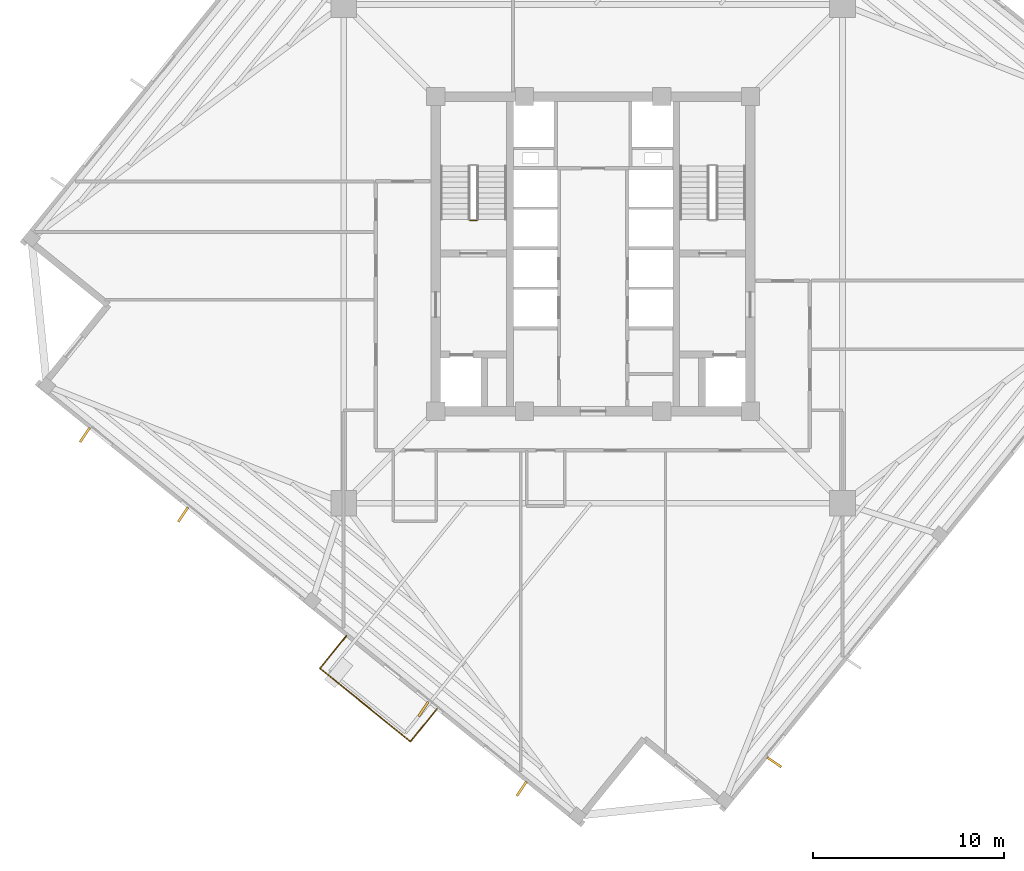
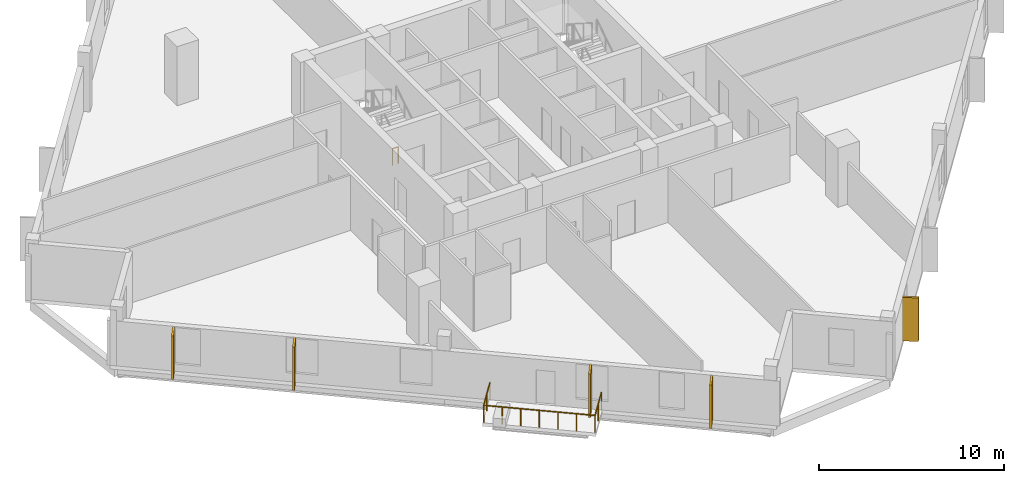
# One storey, part 7 of 10: 5 coverings, 4 railings.
"""IFC4 building model written with IfcOpenShell, lengths in metres."""

from ifc_helpers import new_model, si_unit, direction, frame, origin, origin_2d, place, context, subcontext, project, spatial, rectangle, circle, extrude, source, transform, mapped, material, layer, layer_set, type_object, element, save


model = new_model("IFC4")

# Units and contexts
model_context = context("Model", 3, precision=1e-05, world=origin(), true_north=direction((0.0, 1.0)))
body_context = subcontext(model_context, "Body", "Model", "MODEL_VIEW")
ifc_project = project(units=[si_unit("LENGTHUNIT", "METRE"), si_unit("AREAUNIT", "SQUARE_METRE"), si_unit("VOLUMEUNIT", "CUBIC_METRE"), si_unit("PLANEANGLEUNIT", "RADIAN"), si_unit("MASSUNIT", "GRAM", prefix="KILO"), si_unit("THERMODYNAMICTEMPERATUREUNIT", "KELVIN")], contexts=[model_context])

# Site, building, storey
site_placement = place(None, origin())
site = spatial("IfcSite", under=ifc_project, at=site_placement, CompositionType="ELEMENT")
building_placement = place(site_placement, origin())
building = spatial("IfcBuilding", under=site, at=building_placement, Name="Kosmvard Interchange Tower", CompositionType="ELEMENT")
storey_placement = place(building_placement, frame((0.0, 0.0, 217.300048828125)))
storey = spatial("IfcBuildingStorey", under=building, at=storey_placement, Name="L52", CompositionType="ELEMENT", Elevation=217.300048828125)

# Coverings
ifc_material_1 = material(Name="Architectural anodised aluminium", Category="aluminium")
ifc_layer = layer(ifc_material_1, 0.1201171875, Name="Architectural anodised aluminium")
ifc_layer_set = layer_set([ifc_layer], Name="Architectural anodised aluminium")
covering_type = type_object("IfcCoveringType", Name="Rotating Vertical Sun-Breaker Fin 900x120 Aluminium", PredefinedType="CLADDING", material=ifc_layer_set)
shared_shape_1 = source(origin(), body_context, "Body", "SweptSolid", [
    extrude(rectangle(XDim=0.89990234375, YDim=0.1201171875, at=origin_2d()), origin(), (0.0, 0.0, 1.0), 2.8798828125),
])
for number, where, z_axis, x_axis, name in (
    (1, (9.494384765625, -26.650146484375, 0.0400390625), (0.0, 0.0, 1.0), (0.83079023485, -0.556585649903, 0.0), "L52 Rotating Vertical Sun-Breaker Fin 01"),
    (2, (-26.650146484375, -9.494384765625, 0.0400390625), (0.0, 0.0, 1.0), (-0.556585649903, -0.83079023485, 0.0), "L52 Rotating Vertical Sun-Breaker Fin 13"),
    (3, (-21.49658203125, -13.66748046875, 0.0400390625), (0.0, 0.0, 1.0), (-0.556585649903, -0.83079023485, 0.0), "L52 Rotating Vertical Sun-Breaker Fin 14"),
    (4, (-8.8994140625, -23.86865234375, 0.0400390625), (0.0, 0.0, 1.0), (-0.556585649903, -0.83079023485, 0.0), "L52 Rotating Vertical Sun-Breaker Fin 15"),
    (5, (-3.74609375, -28.041748046875, 0.0400390625), (0.0, 0.0, 1.0), (-0.556585649903, -0.83079023485, 0.0), "L52 Rotating Vertical Sun-Breaker Fin 16"),
):
    element("IfcCovering", number, at=place(storey_placement, frame(where, z_axis=z_axis, x_axis=x_axis)), inside=storey, type_object=covering_type, Name=name, PredefinedType="CLADDING", context=body_context, shape_type="MappedRepresentation", body=[
        mapped(shared_shape_1, transform((0.0, 0.0, 0.0), scale=1.0)),
    ])

# Railings
ifc_material_2 = material(Name="Steel S355", Category="steel")
railing_type_1 = type_object("IfcRailingType", Name="Observation & Balcony Glass-Infill Balustrade 1150", PredefinedType="BALUSTRADE", material=ifc_material_2)
shared_shape_2 = source(origin(), body_context, "Body", "SweptSolid", [
    extrude(circle(Radius=0.02392578125, at=origin_2d()), frame((0.0, 0.0, 1.1259765625), z_axis=(0.629325914736, 0.777141488432, 0.0), x_axis=(-0.777141488432, 0.629325914736, 0.0)), (0.0, 0.0, 1.0), 2.199951171875),
    extrude(circle(Radius=0.02099609375, at=origin_2d()), origin(), (0.0, 0.0, 1.0), 1.101806640625),
    extrude(circle(Radius=0.02099609375, at=origin_2d()), frame((0.6923828125, 0.85498046875, 0.0)), (0.0, 0.0, 1.0), 1.101806640625),
    extrude(circle(Radius=0.02099609375, at=origin_2d()), frame((1.384521484375, 1.709716796875, 0.0)), (0.0, 0.0, 1.0), 1.101806640625),
])
railing_1_placement = place(storey_placement, frame((-9.5771484375, -25.57177734375, 0.0)))
element("IfcRailing", 6, at=railing_1_placement, inside=storey, type_object=railing_type_1, Name="L52 Outdoor Terrace Guard BAL-L52-W-C", PredefinedType="BALUSTRADE", context=body_context, shape_type="MappedRepresentation", body=[
    mapped(shared_shape_2, transform((0.0, 0.0, 0.0), scale=1.0)),
])
shared_shape_3 = source(origin(), body_context, "Body", "SweptSolid", [
    extrude(circle(Radius=0.02392578125, at=origin_2d()), frame((0.0, 0.0, 1.1259765625), z_axis=(-0.629325914736, -0.777141488432, 0.0), x_axis=(0.777141488432, -0.629325914736, 0.0)), (0.0, 0.0, 1.0), 2.199951171875),
    extrude(circle(Radius=0.02099609375, at=origin_2d()), origin(), (0.0, 0.0, 1.0), 1.101806640625),
    extrude(circle(Radius=0.02099609375, at=origin_2d()), frame((-0.6923828125, -0.85498046875, 0.0)), (0.0, 0.0, 1.0), 1.101806640625),
    extrude(circle(Radius=0.02099609375, at=origin_2d()), frame((-1.384521484375, -1.709716796875, 0.0)), (0.0, 0.0, 1.0), 1.101806640625),
])
railing_2_placement = place(storey_placement, frame((-12.93310546875, -20.023193359375, 0.0)))
element("IfcRailing", 7, at=railing_2_placement, inside=storey, type_object=railing_type_1, Name="L52 Outdoor Terrace Guard BAL-L52-W-A", PredefinedType="BALUSTRADE", context=body_context, shape_type="MappedRepresentation", body=[
    mapped(shared_shape_3, transform((0.0, 0.0, 0.0), scale=1.0)),
])
shared_shape_4 = source(origin(), body_context, "Body", "SweptSolid", [
    extrude(circle(Radius=0.02392578125, at=origin_2d()), frame((0.0, 0.0, 1.1259765625), z_axis=(0.777137673017, -0.629330626282, 0.0), x_axis=(0.629330626282, 0.777137673017, 0.0)), (0.0, 0.0, 1.0), 6.099853515625),
    extrude(circle(Radius=0.02099609375, at=origin_2d()), origin(), (0.0, 0.0, 1.0), 1.101806640625),
    extrude(circle(Radius=0.02099609375, at=origin_2d()), frame((0.7900390625, -0.639892578125, 0.0)), (0.0, 0.0, 1.0), 1.101806640625),
    extrude(circle(Radius=0.02099609375, at=origin_2d()), frame((1.580078125, -1.279541015625, 0.0)), (0.0, 0.0, 1.0), 1.101806640625),
    extrude(circle(Radius=0.02099609375, at=origin_2d()), frame((2.3701171875, -1.91943359375, 0.0)), (0.0, 0.0, 1.0), 1.101806640625),
    extrude(circle(Radius=0.02099609375, at=origin_2d()), frame((3.160400390625, -2.559326171875, 0.0)), (0.0, 0.0, 1.0), 1.101806640625),
    extrude(circle(Radius=0.02099609375, at=origin_2d()), frame((3.950439453125, -3.198974609375, 0.0)), (0.0, 0.0, 1.0), 1.101806640625),
    extrude(circle(Radius=0.02099609375, at=origin_2d()), frame((4.740478515625, -3.8388671875, 0.0)), (0.0, 0.0, 1.0), 1.101806640625),
])
railing_3_placement = place(storey_placement, frame((-14.317626953125, -21.73291015625, 0.0)))
element("IfcRailing", 8, at=railing_3_placement, inside=storey, type_object=railing_type_1, Name="L52 Outdoor Terrace Guard BAL-L52-W-B", PredefinedType="BALUSTRADE", context=body_context, shape_type="MappedRepresentation", body=[
    mapped(shared_shape_4, transform((0.0, 0.0, 0.0), scale=1.0)),
])
railing_type_2 = type_object("IfcRailingType", Name="Stair & Terrace Safety Guardrail 1100 Steel", PredefinedType="GUARDRAIL", material=ifc_material_2)
shared_shape_5 = source(origin(), body_context, "Body", "SweptSolid", [
    extrude(circle(Radius=0.02392578125, at=origin_2d()), frame((0.0, 0.0, 1.076171875), z_axis=(-1.0, 0.0, 0.0), x_axis=(0.0, -1.0, 0.0)), (0.0, 0.0, 1.0), 0.35986328125),
    extrude(circle(Radius=0.02099609375, at=origin_2d()), origin(), (0.0, 0.0, 1.0), 1.052001953125),
    extrude(circle(Radius=0.02099609375, at=origin_2d()), frame((-0.35986328125, 0.0, 0.0)), (0.0, 0.0, 1.0), 1.052001953125),
])
railing_4_placement = place(storey_placement, frame((-6.090087890625, 1.75, 0.0)))
element("IfcRailing", 9, at=railing_4_placement, inside=storey, type_object=railing_type_2, Name="L52 ST-1 stair guard 4", PredefinedType="GUARDRAIL", context=body_context, shape_type="MappedRepresentation", body=[
    mapped(shared_shape_5, transform((0.0, 0.0, 0.0), scale=1.0)),
])

save(model, "model.ifc")
